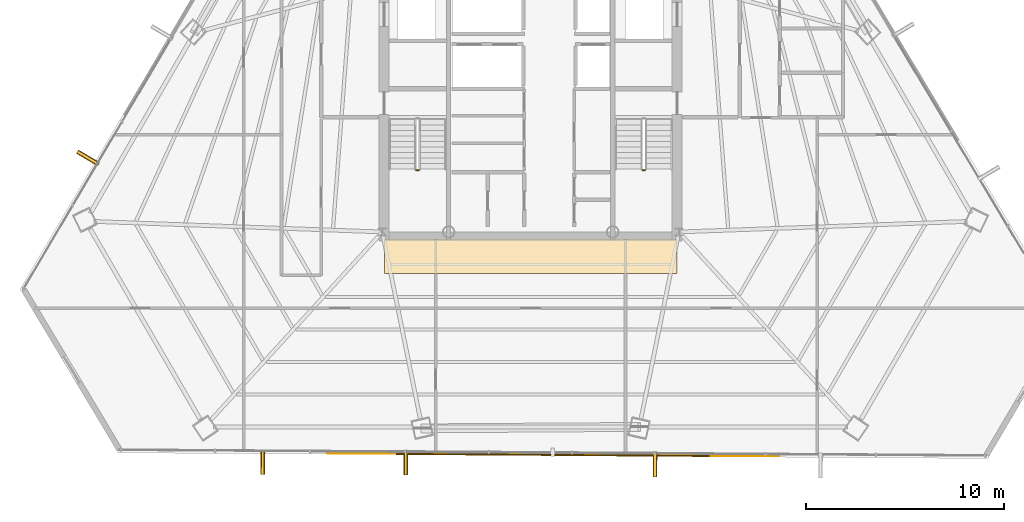
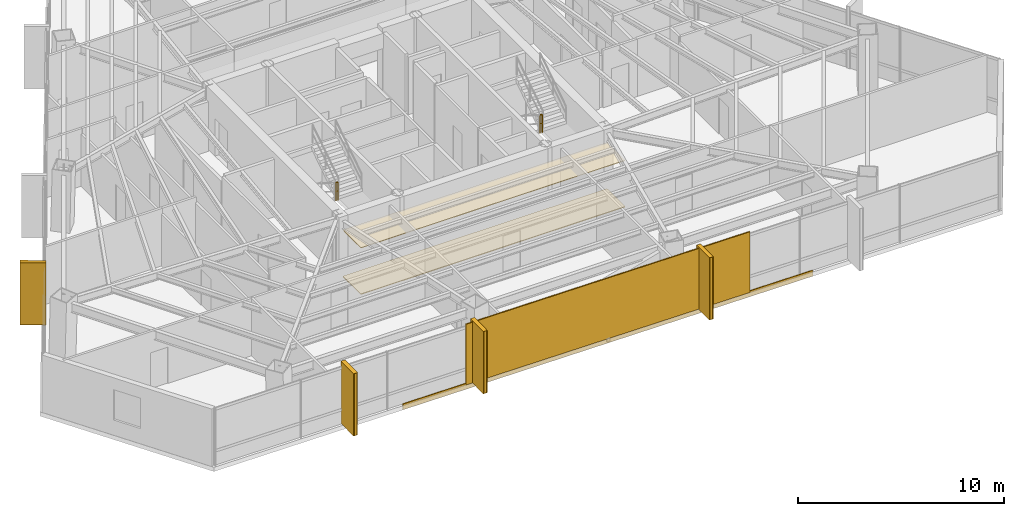
# One storey, part 39 of 41: 7 coverings, 5 shading devices, 2 railings.
"""IFC4 building model written with IfcOpenShell, lengths in metres."""

from ifc_helpers import new_model, si_unit, direction, frame, origin, origin_2d, place, context, subcontext, project, spatial, polyline, rectangle, outline, extrude, source, transform, mapped, material, layer, layer_set, type_object, type_shapes, element, save


model = new_model("IFC4")

# Units and contexts
model_context = context("Model", 3, precision=1e-05, world=origin(), true_north=direction((0.0, 1.0)))
body_context = subcontext(model_context, "Body", "Model", "MODEL_VIEW")
ifc_project = project(units=[si_unit("LENGTHUNIT", "METRE"), si_unit("AREAUNIT", "SQUARE_METRE"), si_unit("VOLUMEUNIT", "CUBIC_METRE"), si_unit("PLANEANGLEUNIT", "RADIAN"), si_unit("MASSUNIT", "GRAM", prefix="KILO")], contexts=[model_context])

# Site, building, storey
site_placement = place(None, origin())
site = spatial("IfcSite", under=ifc_project, at=site_placement, CompositionType="ELEMENT")
building_placement = place(site_placement, origin())
building = spatial("IfcBuilding", under=site, at=building_placement, Name="Caelisora Broadcast Tower", CompositionType="ELEMENT")
storey_placement = place(building_placement, frame((0.0, 0.0, 162.14990234375)))
storey = spatial("IfcBuildingStorey", under=building, at=storey_placement, Name="L42", CompositionType="ELEMENT", Elevation=162.14990234375)

# Coverings
ifc_material_1 = material(Name="Perforated Mineral-Fibre Acoustic Ceiling Tile", Category="gypsum")
ifc_layer_1 = layer(ifc_material_1, 0.034912109375, Name="Perforated Mineral-Fibre Acoustic Ceiling Tile")
ifc_layer_set_1 = layer_set([ifc_layer_1], Name="Perforated Mineral-Fibre Acoustic Ceiling Tile")
covering_type_1 = type_object("IfcCoveringType", Name="CE-1", PredefinedType="CEILING", material=ifc_layer_set_1)
covering_1_placement = place(storey_placement, frame((0.0, 0.0, 2.75)))
element("IfcCovering", 1, at=covering_1_placement, inside=storey, type_object=covering_type_1, Name="L42 acoustic corridor ceiling CE-1 (S)", PredefinedType="CEILING", context=body_context, shape_type="SweptSolid", body=[
    extrude(outline(polyline([(30.60009765625, 15.300048828125), (45.39990234375, 15.300048828125), (45.39990234375, 17.050048828125), (30.60009765625, 17.050048828125), (30.60009765625, 15.300048828125)])), origin(), (0.0, 0.0, 1.0), 0.03515625),
])
ifc_material_2 = material(Name="Anti-Static Broadcast Raised Access Floor Panel", Category="steel")
ifc_layer_2 = layer(ifc_material_2, 0.044921875, Name="Anti-Static Broadcast Raised Access Floor Panel")
ifc_layer_set_2 = layer_set([ifc_layer_2], Name="Anti-Static Broadcast Raised Access Floor Panel")
covering_type_2 = type_object("IfcCoveringType", Name="FL-1", PredefinedType="FLOORING", material=ifc_layer_set_2)
covering_2_placement = place(storey_placement, origin())
element("IfcCovering", 2, at=covering_2_placement, inside=storey, type_object=covering_type_2, Name="L42 broadcast raised access floor FL-1 (S)", PredefinedType="FLOORING", context=body_context, shape_type="SweptSolid", body=[
    extrude(outline(polyline([(30.60009765625, 15.300048828125), (45.39990234375, 15.300048828125), (45.39990234375, 17.050048828125), (30.60009765625, 17.050048828125), (30.60009765625, 15.300048828125)])), origin(), (0.0, 0.0, 1.0), 0.045166015625),
])

# Railings
ifc_material_3 = material(Name="Galvanised Steel Safety Guardrail", Category="steel")
ifc_layer_3 = layer(ifc_material_3, 0.048095703125, Name="Galvanised Steel Safety Guardrail")
ifc_layer_set_3 = layer_set([ifc_layer_3], Name="Galvanised Steel Safety Guardrail")
railing_type = type_object("IfcRailingType", Name="GR-1", PredefinedType="GUARDRAIL", material=ifc_layer_set_3)
for number, where, name in (
    (3, (32.219970703125, 20.530029296875, 1.8251953125), "L42 ST-1 stair guard 2"),
    (4, (43.659912109375, 20.530029296875, 1.8251953125), "L42 ST-2 stair guard 2"),
):
    element("IfcRailing", number, at=place(storey_placement, frame(where)), inside=storey, type_object=railing_type, Name=name, PredefinedType="GUARDRAIL", context=body_context, shape_type="SweptSolid", body=[
        extrude(rectangle(XDim=0.048095703125, YDim=0.048095703125, at=origin_2d()), frame((0.0, 0.0, 1.076171875), z_axis=(1.0, 0.0, 0.0), x_axis=(0.0, 1.0, 0.0)), (0.0, 0.0, 1.0), 0.1201171875),
        extrude(rectangle(XDim=0.03125, YDim=0.03125, at=origin_2d()), frame((0.0, 0.0, 0.550048828125), z_axis=(1.0, 0.0, 0.0), x_axis=(0.0, 1.0, 0.0)), (0.0, 0.0, 1.0), 0.1201171875),
        extrude(rectangle(XDim=0.0419921875, YDim=0.0419921875, at=origin_2d()), origin(), (0.0, 0.0, 1.0), 1.052001953125),
        extrude(rectangle(XDim=0.0419921875, YDim=0.0419921875, at=origin_2d()), frame((0.1201171875, 0.0, 0.0)), (0.0, 0.0, 1.0), 1.052001953125),
    ])

# Coverings
ifc_material_4 = material(Name="Kiln-Fired Terracotta Spandrel Rainscreen Cladding", Category="ceramic")
ifc_layer_4 = layer(ifc_material_4, 0.044921875, Name="Kiln-Fired Terracotta Spandrel Rainscreen Cladding")
ifc_layer_set_4 = layer_set([ifc_layer_4], Name="Kiln-Fired Terracotta Spandrel Rainscreen Cladding")
covering_type_3 = type_object("IfcCoveringType", Name="CL-1", PredefinedType="CLADDING", material=ifc_layer_set_4)
shared_shape_1 = source(origin(), body_context, "Body", "SweptSolid", [
    extrude(rectangle(XDim=0.219970703125, YDim=1.25, at=origin_2d()), origin(), (0.0, 0.0, 1.0), 3.68994140625),
])
for number, where, z_axis, x_axis, name in (
    (5, (44.294677734375, 5.63720703125, -0.019775390625), (0.0, 0.0, 1.0), (-0.99997914901, 0.006457673349, 0.0), "L42 vertical solar fin cladding #2-2"),
    (6, (31.68212890625, 5.719482421875, -0.019775390625), (0.0, 0.0, 1.0), (-0.99997914901, 0.006457673349, 0.0), "L42 vertical solar fin cladding #2-3"),
    (7, (24.4462890625, 5.766845703125, -0.019775390625), (0.0, 0.0, 1.0), (-0.99997914901, 0.006457673349, 0.0), "L42 vertical solar fin cladding #2-4"),
    (8, (15.608154296875, 21.14599609375, -0.019775390625), (0.0, 0.0, 1.0), (0.507989441341, 0.861363295878, 0.0), "L42 vertical solar fin cladding #3-1"),
):
    element("IfcCovering", number, at=place(storey_placement, frame(where, z_axis=z_axis, x_axis=x_axis)), inside=storey, type_object=covering_type_3, Name=name, PredefinedType="CLADDING", context=body_context, shape_type="MappedRepresentation", body=[
        mapped(shared_shape_1, transform((0.0, 0.0, 0.0), scale=1.0)),
    ])

# Shading devices
ifc_material_5 = material(Name="Extruded Terracotta Flaring Colonnade Fin", Category="ceramic")
ifc_layer_5 = layer(ifc_material_5, 0.139892578125, Name="Extruded Terracotta Flaring Colonnade Fin")
ifc_layer_set_5 = layer_set([ifc_layer_5], Name="Extruded Terracotta Flaring Colonnade Fin")
shading_device_type_1 = type_object("IfcShadingDeviceType", Name="FN-1", PredefinedType="USERDEFINED", material=ifc_layer_set_5)
shared_shape_2 = source(origin(), body_context, "Body", "SweptSolid", [
    extrude(rectangle(XDim=0.139892578125, YDim=1.25, at=origin_2d()), origin(), (0.0, 0.0, 1.0), 3.669921875),
])
type_shapes(shading_device_type_1, [shared_shape_2])
for number, where, z_axis, x_axis, name in (
    (9, (44.294677734375, 5.63720703125, -0.009765625), (0.0, 0.0, 1.0), (-0.99997914901, 0.006457673349, 0.0), "L42 vertical terracotta fin #2-2"),
    (10, (31.68212890625, 5.719482421875, -0.009765625), (0.0, 0.0, 1.0), (-0.99997914901, 0.006457673349, 0.0), "L42 vertical terracotta fin #2-3"),
    (11, (24.4462890625, 5.766845703125, -0.009765625), (0.0, 0.0, 1.0), (-0.99997914901, 0.006457673349, 0.0), "L42 vertical terracotta fin #2-4"),
    (12, (15.608154296875, 21.14599609375, -0.009765625), (0.0, 0.0, 1.0), (0.507989441341, 0.861363295878, 0.0), "L42 vertical terracotta fin #3-1"),
):
    element("IfcShadingDevice", number, at=place(storey_placement, frame(where, z_axis=z_axis, x_axis=x_axis)), inside=storey, type_object=shading_device_type_1, Name=name, ObjectType="FIN", PredefinedType="USERDEFINED", context=body_context, shape_type="MappedRepresentation", body=[
        mapped(shared_shape_2, transform((0.0, 0.0, 0.0), scale=1.0)),
    ])
ifc_material_6 = material(Name="Perforated Glazed Terracotta Baguette Solar Screen", Category="ceramic")
ifc_layer_6 = layer(ifc_material_6, 0.06494140625, Name="Perforated Glazed Terracotta Baguette Solar Screen")
ifc_layer_set_6 = layer_set([ifc_layer_6], Name="Perforated Glazed Terracotta Baguette Solar Screen")
shading_device_type_2 = type_object("IfcShadingDeviceType", Name="SS-1", PredefinedType="USERDEFINED", material=ifc_layer_set_6)
shared_shape_3 = source(origin(), body_context, "Body", "SweptSolid", [
    extrude(rectangle(XDim=15.840087890625, YDim=0.06494140625, at=origin_2d()), origin(), (0.0, 0.0, 1.0), 3.590087890625),
])
type_shapes(shading_device_type_2, [shared_shape_3])
shading_device_placement = place(storey_placement, frame((39.12841796875, 6.12109375, 0.0), z_axis=(0.0, 0.0, 1.0), x_axis=(0.999978006703, -0.006632202536, 0.0)))
element("IfcShadingDevice", 13, at=shading_device_placement, inside=storey, type_object=shading_device_type_2, Name="L42 perforated terracotta solar screen #2", ObjectType="SOLAR SCREEN", PredefinedType="USERDEFINED", context=body_context, shape_type="MappedRepresentation", body=[
    mapped(shared_shape_3, transform((0.0, 0.0, 0.0), scale=1.0)),
])

# Covering
shared_shape_4 = source(origin(), body_context, "Body", "SweptSolid", [
    extrude(rectangle(XDim=22.87890625, YDim=0.044921875, at=origin_2d()), origin(), (0.0, 0.0, 1.0), 0.340087890625),
])
type_shapes(covering_type_3, [shared_shape_1, shared_shape_4])
covering_3_placement = place(storey_placement, frame((39.12841796875, 6.14111328125, -0.27001953125), z_axis=(0.0, 0.0, 1.0), x_axis=(0.999978006703, -0.006632202536, 0.0)))
element("IfcCovering", 14, at=covering_3_placement, inside=storey, type_object=covering_type_3, Name="L42 terracotta spandrel rainscreen #2", PredefinedType="CLADDING", context=body_context, shape_type="MappedRepresentation", body=[
    mapped(shared_shape_4, transform((0.0, 0.0, 0.0), scale=1.0)),
])

save(model, "model.ifc")
